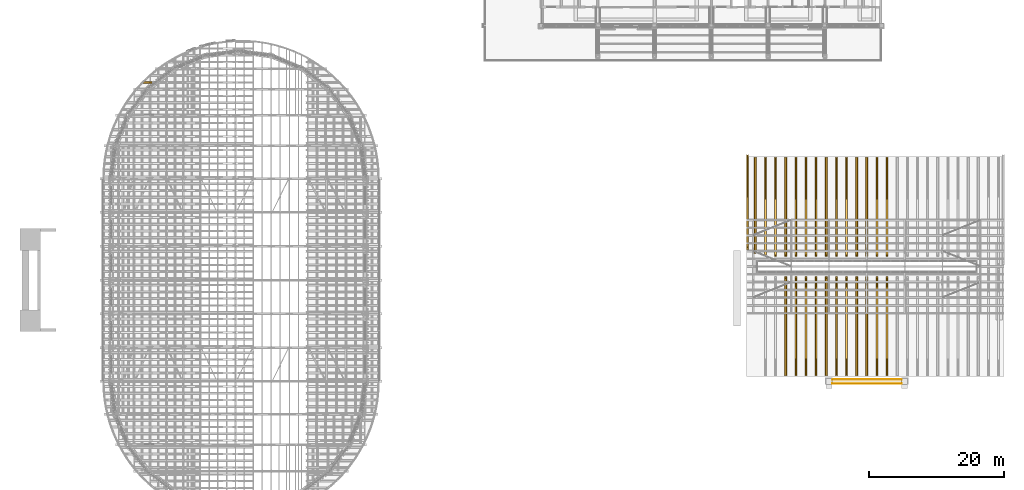
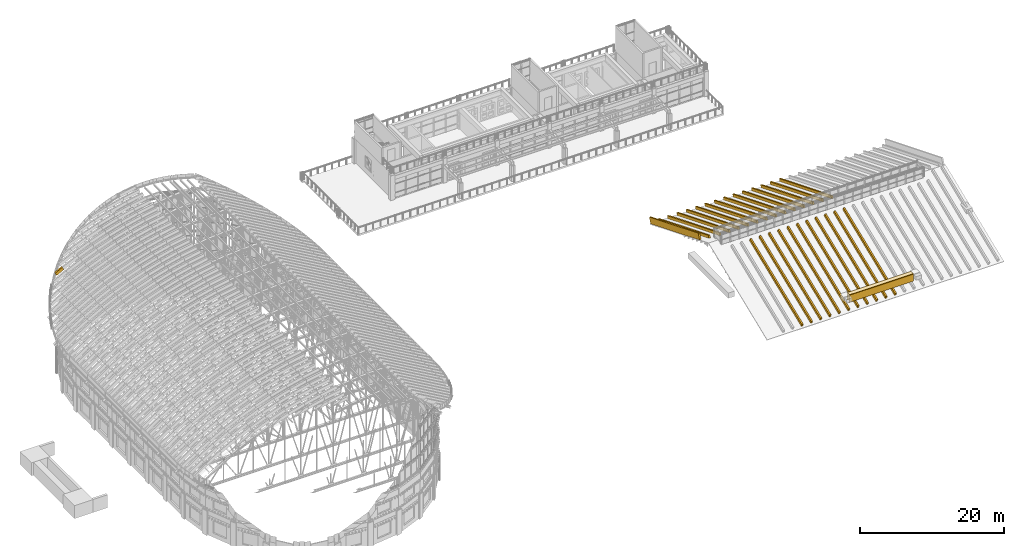
# One storey, part 93 of 105: 30 coverings.
"""IFC4 building model written with IfcOpenShell, lengths in metres."""

from ifc_helpers import new_model, si_unit, direction, frame, origin, origin_2d, place, context, subcontext, project, spatial, polyline, rectangle, outline, extrude, material, layer, layer_set, material_profile, profile_set, type_object, element, save


model = new_model("IFC4")

# Units and contexts
model_context = context("Model", 3, precision=1e-05, world=origin(), true_north=direction((0.0, 1.0)))
body_context = subcontext(model_context, "Body", "Model", "MODEL_VIEW")
ifc_project = project(units=[si_unit("LENGTHUNIT", "METRE"), si_unit("AREAUNIT", "SQUARE_METRE"), si_unit("VOLUMEUNIT", "CUBIC_METRE"), si_unit("PLANEANGLEUNIT", "RADIAN"), si_unit("MASSUNIT", "GRAM", prefix="KILO")], contexts=[model_context])

# Site, building, storey
site_placement = place(None, origin())
site = spatial("IfcSite", under=ifc_project, at=site_placement, CompositionType="ELEMENT")
building_placement = place(site_placement, origin())
building = spatial("IfcBuilding", under=site, at=building_placement, Name="Wasatch Bagh Community Centre", CompositionType="ELEMENT")
storey_placement = place(building_placement, frame((0.0, 0.0, 16.800048828125)))
storey = spatial("IfcBuildingStorey", under=building, at=storey_placement, Name="L04", CompositionType="ELEMENT", Elevation=16.800048828125)

# Coverings
ifc_material_1 = material(Name="Cast stone cladding", Category="masonry")
ifc_layer = layer(ifc_material_1, 0.080078125)
ifc_layer_set = layer_set([ifc_layer], Name="Cast stone cladding")
covering_type_1 = type_object("IfcCoveringType", Name="CL-B7 beam facing", PredefinedType="CLADDING", material=ifc_layer_set)
covering_1_placement = place(storey_placement, frame((0.0, 0.0, -0.60009765625)))
element("IfcCovering", 1, at=covering_1_placement, inside=storey, type_object=covering_type_1, Name="Beam facing", PredefinedType="CLADDING", context=body_context, shape_type="SweptSolid", body=[
    extrude(outline(polyline([(123.85009765625, 35.25), (134.14990234375, 35.25), (134.14990234375, 35.330078125), (123.85009765625, 35.330078125), (123.85009765625, 35.25)])), origin(), (0.0, 0.0, 1.0), 1.199951171875),
])
covering_2_placement = place(storey_placement, frame((0.0, 0.0, -0.60009765625)))
element("IfcCovering", 2, at=covering_2_placement, inside=storey, type_object=covering_type_1, Name="Beam facing", PredefinedType="CLADDING", context=body_context, shape_type="SweptSolid", body=[
    extrude(outline(polyline([(123.85009765625, 34.75), (134.14990234375, 34.75), (134.14990234375, 34.669921875), (123.85009765625, 34.669921875), (123.85009765625, 34.75)])), origin(), (0.0, 0.0, 1.0), 1.199951171875),
])
covering_3_placement = place(storey_placement, frame((0.0, 0.0, 0.599853515625)))
element("IfcCovering", 3, at=covering_3_placement, inside=storey, type_object=covering_type_1, Name="Beam facing", PredefinedType="CLADDING", context=body_context, shape_type="SweptSolid", body=[
    extrude(outline(polyline([(123.85009765625, 34.669921875), (134.14990234375, 34.669921875), (134.14990234375, 35.330078125), (123.85009765625, 35.330078125), (123.85009765625, 34.669921875)])), origin(), (0.0, 0.0, 1.0), 0.080078125),
])
ifc_material_2 = material(Name="ASTM A653 Grade 50 steel, zinc-aluminium coated", Category="steel")
covering_type_2 = type_object("IfcCoveringType", Name="MH roll-over fin rib", PredefinedType="ROOFING", material=ifc_material_2)
covering_4_placement = place(storey_placement, frame((21.7998046875, 79.125, 13.1337890625), z_axis=(-0.471089971208, 0.0, 0.882085165405), x_axis=(0.882085165405, 0.0, 0.471089971208)))
element("IfcCovering", 4, at=covering_4_placement, inside=storey, type_object=covering_type_2, Name="Seam rib 3.60", PredefinedType="ROOFING", context=body_context, shape_type="SweptSolid", body=[
    extrude(outline(polyline([(0.0, 0.0), (1.2878420051466064, 0.0), (1.2878420051466064, 0.25), (0.0, 0.25), (0.0, 0.0)])), origin(), (0.0, 0.0, -1.0), 0.550048828125),
])
ifc_material_3 = material(Name="Glass-fibre reinforced concrete", Category="concrete")
ifc_material_profile = material_profile(ifc_material_3, rectangle(XDim=0.25, YDim=1.0, at=origin_2d()), Name="PARAPET 250x1000")
ifc_profile_set = profile_set([ifc_material_profile], Name="Glass-fibre reinforced concrete")
covering_type_3 = type_object("IfcCoveringType", Name="SH gable parapet 250x1000", PredefinedType="CLADDING", material=ifc_profile_set)
covering_5_placement = place(storey_placement, frame((111.324951171875, 54.687255859375, 2.869873046875), z_axis=(0.0, 0.927186793863, -0.37459931832), x_axis=(-1.0, 0.0, 0.0)))
element("IfcCovering", 5, at=covering_5_placement, inside=storey, type_object=covering_type_3, Name="Gable parapet W 2", PredefinedType="CLADDING", context=body_context, shape_type="SweptSolid", body=[
    extrude(rectangle(XDim=0.25, YDim=1.0, at=origin_2d()), origin(), (0.0, 0.0, 1.0), 14.72216796875),
])
covering_type_4 = type_object("IfcCoveringType", Name="SH roof rib 250x450", PredefinedType="ROOFING", material=ifc_material_2)
for number, where, z_axis, x_axis, name in (
    (6, (116.875, 35.85009765625, -2.65869140625), (0.0, -0.374618710554, 0.927178958833), (0.0, 0.927178958833, 0.374618710554), "Roof rib S78"),
    (7, (118.375, 35.85009765625, -2.65869140625), (0.0, -0.374618710554, 0.927178958833), (0.0, 0.927178958833, 0.374618710554), "Roof rib S79"),
    (8, (119.875, 35.85009765625, -2.65869140625), (0.0, -0.374618710554, 0.927178958833), (0.0, 0.927178958833, 0.374618710554), "Roof rib S80"),
    (9, (121.375, 35.85009765625, -2.65869140625), (0.0, -0.374618710554, 0.927178958833), (0.0, 0.927178958833, 0.374618710554), "Roof rib S81"),
    (10, (122.875, 35.85009765625, -2.65869140625), (0.0, -0.374618710554, 0.927178958833), (0.0, 0.927178958833, 0.374618710554), "Roof rib S82"),
    (11, (124.375, 35.85009765625, -2.65869140625), (0.0, -0.374618710554, 0.927178958833), (0.0, 0.927178958833, 0.374618710554), "Roof rib S83"),
    (12, (125.875, 35.85009765625, -2.65869140625), (0.0, -0.374618710554, 0.927178958833), (0.0, 0.927178958833, 0.374618710554), "Roof rib S84"),
    (13, (127.375, 35.85009765625, -2.65869140625), (0.0, -0.374618710554, 0.927178958833), (0.0, 0.927178958833, 0.374618710554), "Roof rib S85"),
    (14, (128.875, 35.85009765625, -2.65869140625), (0.0, -0.374618710554, 0.927178958833), (0.0, 0.927178958833, 0.374618710554), "Roof rib S86"),
    (15, (130.375, 35.85009765625, -2.65869140625), (0.0, -0.374618710554, 0.927178958833), (0.0, 0.927178958833, 0.374618710554), "Roof rib S87"),
    (16, (131.875, 35.85009765625, -2.65869140625), (0.0, -0.374618710554, 0.927178958833), (0.0, 0.927178958833, 0.374618710554), "Roof rib S88"),
):
    element("IfcCovering", number, at=place(storey_placement, frame(where, z_axis=z_axis, x_axis=x_axis)), inside=storey, type_object=covering_type_4, Name=name, PredefinedType="ROOFING", context=body_context, shape_type="SweptSolid", body=[
        extrude(outline(polyline([(0.0, 0.0), (15.584856660313456, 0.0), (15.584856660313456, -0.25), (0.0, -0.25), (0.0, 0.0)])), origin(), (0.0, 0.0, -1.0), 0.449951171875),
    ])
covering_6_placement = place(storey_placement, frame((112.375, 54.10009765625, 3.01806640625), z_axis=(0.0, 0.374621811646, 0.927177705857), x_axis=(0.0, 0.927177705857, -0.374621811646)))
element("IfcCovering", 17, at=covering_6_placement, inside=storey, type_object=covering_type_4, Name="Roof rib N75", PredefinedType="ROOFING", context=body_context, shape_type="SweptSolid", body=[
    extrude(outline(polyline([(0.0, 0.0), (15.153302973895716, 0.0), (15.153302973895716, -0.25), (0.0, -0.25), (0.0, 0.0)])), origin(), (0.0, 0.0, -1.0), 0.449951171875),
])
for number, where, z_axis, x_axis, name in (
    (18, (113.875, 53.699951171875, 3.1796875), (0.0, 0.374618710554, 0.927178958833), (0.0, 0.927178958833, -0.374618710554), "Roof rib N76"),
    (19, (115.375, 53.699951171875, 3.1796875), (0.0, 0.374618710554, 0.927178958833), (0.0, 0.927178958833, -0.374618710554), "Roof rib N77"),
    (20, (116.875, 53.699951171875, 3.1796875), (0.0, 0.374618710554, 0.927178958833), (0.0, 0.927178958833, -0.374618710554), "Roof rib N78"),
    (21, (118.375, 53.699951171875, 3.1796875), (0.0, 0.374618710554, 0.927178958833), (0.0, 0.927178958833, -0.374618710554), "Roof rib N79"),
    (22, (119.875, 53.699951171875, 3.1796875), (0.0, 0.374618710554, 0.927178958833), (0.0, 0.927178958833, -0.374618710554), "Roof rib N80"),
    (23, (121.375, 53.699951171875, 3.1796875), (0.0, 0.374618710554, 0.927178958833), (0.0, 0.927178958833, -0.374618710554), "Roof rib N81"),
    (24, (122.875, 53.699951171875, 3.1796875), (0.0, 0.374618710554, 0.927178958833), (0.0, 0.927178958833, -0.374618710554), "Roof rib N82"),
    (25, (124.375, 53.699951171875, 3.1796875), (0.0, 0.374618710554, 0.927178958833), (0.0, 0.927178958833, -0.374618710554), "Roof rib N83"),
    (26, (125.875, 53.699951171875, 3.1796875), (0.0, 0.374618710554, 0.927178958833), (0.0, 0.927178958833, -0.374618710554), "Roof rib N84"),
    (27, (127.375, 53.699951171875, 3.1796875), (0.0, 0.374618710554, 0.927178958833), (0.0, 0.927178958833, -0.374618710554), "Roof rib N85"),
    (28, (128.875, 53.699951171875, 3.1796875), (0.0, 0.374618710554, 0.927178958833), (0.0, 0.927178958833, -0.374618710554), "Roof rib N86"),
    (29, (130.375, 53.699951171875, 3.1796875), (0.0, 0.374618710554, 0.927178958833), (0.0, 0.927178958833, -0.374618710554), "Roof rib N87"),
    (30, (131.875, 53.699951171875, 3.1796875), (0.0, 0.374618710554, 0.927178958833), (0.0, 0.927178958833, -0.374618710554), "Roof rib N88"),
):
    element("IfcCovering", number, at=place(storey_placement, frame(where, z_axis=z_axis, x_axis=x_axis)), inside=storey, type_object=covering_type_4, Name=name, PredefinedType="ROOFING", context=body_context, shape_type="SweptSolid", body=[
        extrude(outline(polyline([(0.0, 0.0), (15.584856660313456, 0.0), (15.584856660313456, -0.25), (0.0, -0.25), (0.0, 0.0)])), origin(), (0.0, 0.0, -1.0), 0.449951171875),
    ])

save(model, "model.ifc")
